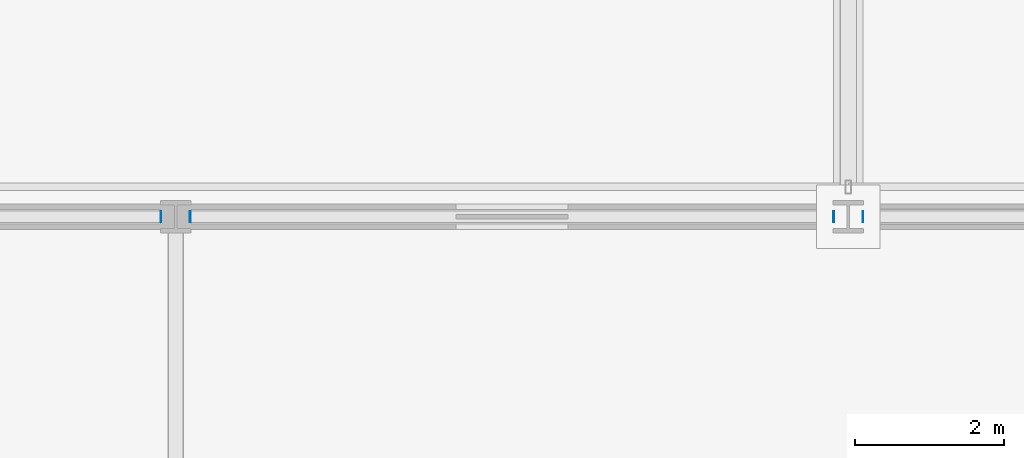
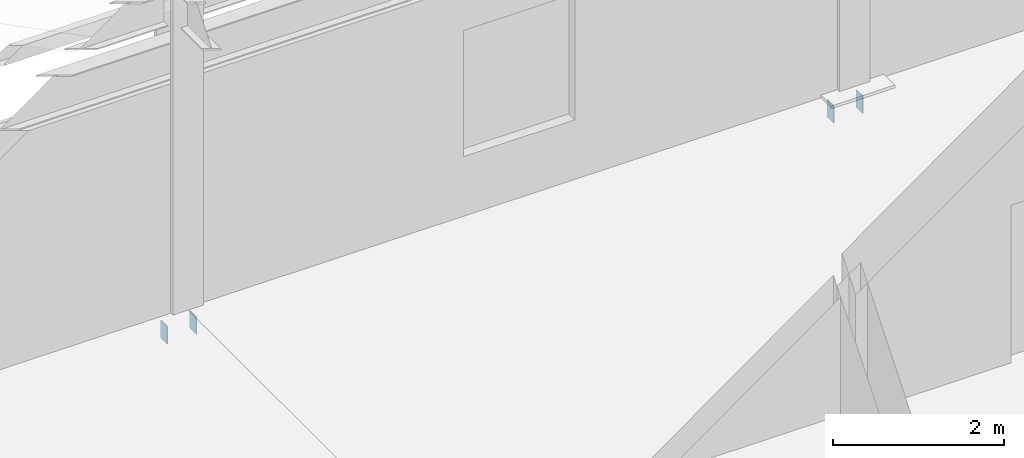
# One storey, part 111 of 136: 4 discrete accessories.
"""IFC4 building model written with IfcOpenShell, lengths in metres."""

from ifc_helpers import new_model, si_unit, direction, frame, origin, place, context, subcontext, project, spatial, polyline, outline, extrude, material, layer, layer_set, type_object, element, save


model = new_model("IFC4")

# Units and contexts
model_context = context("Model", 3, precision=1e-05, world=origin(), true_north=direction((0.0, 1.0)))
body_context = subcontext(model_context, "Body", "Model", "MODEL_VIEW")
ifc_project = project(units=[si_unit("LENGTHUNIT", "METRE"), si_unit("AREAUNIT", "SQUARE_METRE"), si_unit("VOLUMEUNIT", "CUBIC_METRE"), si_unit("PLANEANGLEUNIT", "RADIAN"), si_unit("MASSUNIT", "GRAM", prefix="KILO")], contexts=[model_context])

# Site, building, storey
site_placement = place(None, origin())
site = spatial("IfcSite", under=ifc_project, at=site_placement, CompositionType="ELEMENT")
building_placement = place(site_placement, origin())
building = spatial("IfcBuilding", under=site, at=building_placement, Name="Kisiwana Market Hall", CompositionType="ELEMENT")
storey_placement = place(building_placement, frame((0.0, 0.0, 16.800048828125)))
storey = spatial("IfcBuildingStorey", under=building, at=storey_placement, Name="L03", CompositionType="ELEMENT", Elevation=16.800048828125)

# Discrete accessories
ifc_material = material(Name="Steel S355", Category="steel")
ifc_layer = layer(ifc_material, 0.011962890625)
ifc_layer_set = layer_set([ifc_layer], Name="ACC-ENDCAP-STL")
discrete_accessory_type = type_object("IfcDiscreteAccessoryType", Name="ACC-ENDCAP-STL", PredefinedType="USERDEFINED", material=ifc_layer_set)
discrete_accessory_1_placement = place(storey_placement, frame((0.0, 0.0, -0.5)))
element("IfcDiscreteAccessory", 1, at=discrete_accessory_1_placement, inside=storey, type_object=discrete_accessory_type, Name="End cap plate EC-0033", ObjectType="End cap plate", PredefinedType="USERDEFINED", context=body_context, shape_type="SweptSolid", body=[
    extrude(outline(polyline([(98.798095703125, 35.925048828125), (98.81005859375, 35.925048828125), (98.81005859375, 36.074951171875), (98.798095703125, 36.074951171875), (98.798095703125, 35.925048828125)])), origin(), (0.0, 0.0, 1.0), 0.25),
])
discrete_accessory_2_placement = place(storey_placement, frame((0.0, 0.0, -0.5)))
element("IfcDiscreteAccessory", 2, at=discrete_accessory_2_placement, inside=storey, type_object=discrete_accessory_type, Name="End cap plate EC-0035", ObjectType="End cap plate", PredefinedType="USERDEFINED", context=body_context, shape_type="SweptSolid", body=[
    extrude(outline(polyline([(107.798095703125, 35.925048828125), (107.81005859375, 35.925048828125), (107.81005859375, 36.074951171875), (107.798095703125, 36.074951171875), (107.798095703125, 35.925048828125)])), origin(), (0.0, 0.0, 1.0), 0.25),
])
discrete_accessory_3_placement = place(storey_placement, frame((0.0, 0.0, -0.5)))
element("IfcDiscreteAccessory", 3, at=discrete_accessory_3_placement, inside=storey, type_object=discrete_accessory_type, Name="End cap plate EC-0036", ObjectType="End cap plate", PredefinedType="USERDEFINED", context=body_context, shape_type="SweptSolid", body=[
    extrude(outline(polyline([(99.201904296875, 35.925048828125), (99.201904296875, 36.074951171875), (99.18994140625, 36.074951171875), (99.18994140625, 35.925048828125), (99.201904296875, 35.925048828125)])), origin(), (0.0, 0.0, 1.0), 0.25),
])
discrete_accessory_4_placement = place(storey_placement, frame((0.0, 0.0, -0.5)))
element("IfcDiscreteAccessory", 4, at=discrete_accessory_4_placement, inside=storey, type_object=discrete_accessory_type, Name="End cap plate EC-0038", ObjectType="End cap plate", PredefinedType="USERDEFINED", context=body_context, shape_type="SweptSolid", body=[
    extrude(outline(polyline([(108.201904296875, 35.925048828125), (108.201904296875, 36.074951171875), (108.18994140625, 36.074951171875), (108.18994140625, 35.925048828125), (108.201904296875, 35.925048828125)])), origin(), (0.0, 0.0, 1.0), 0.25),
])

save(model, "model.ifc")
